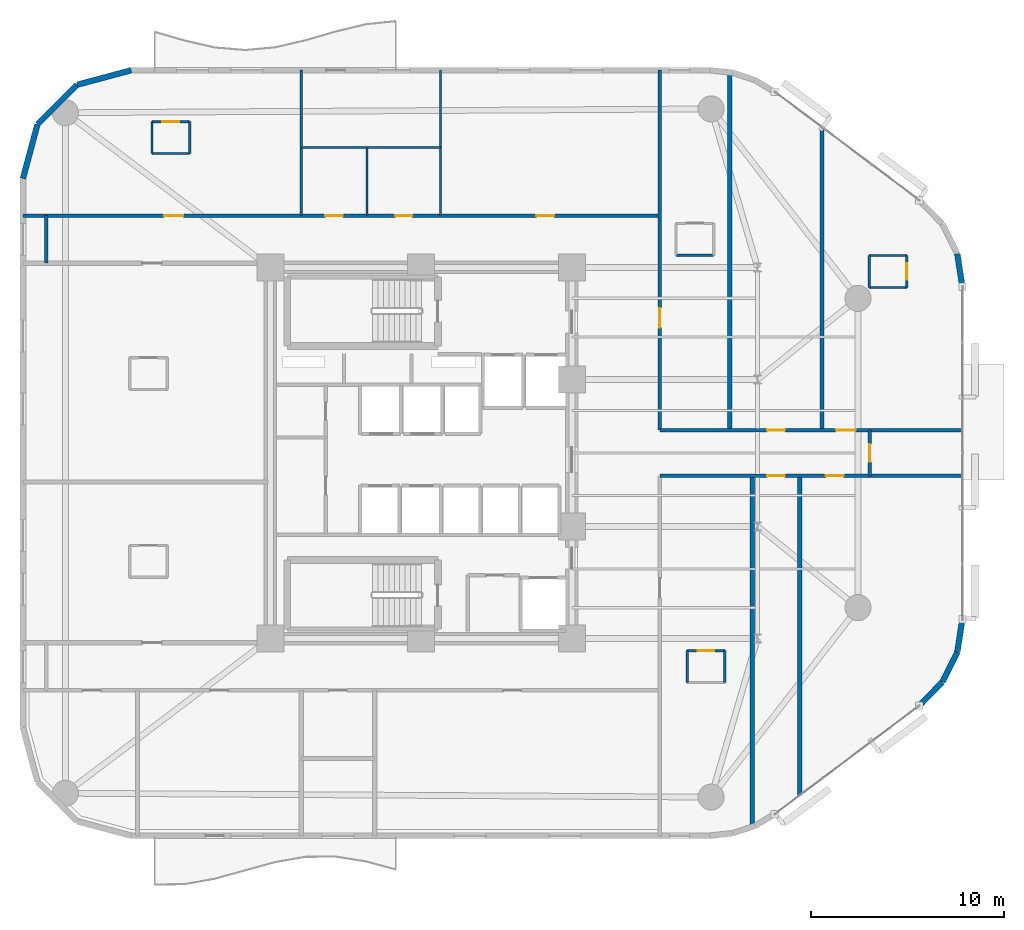
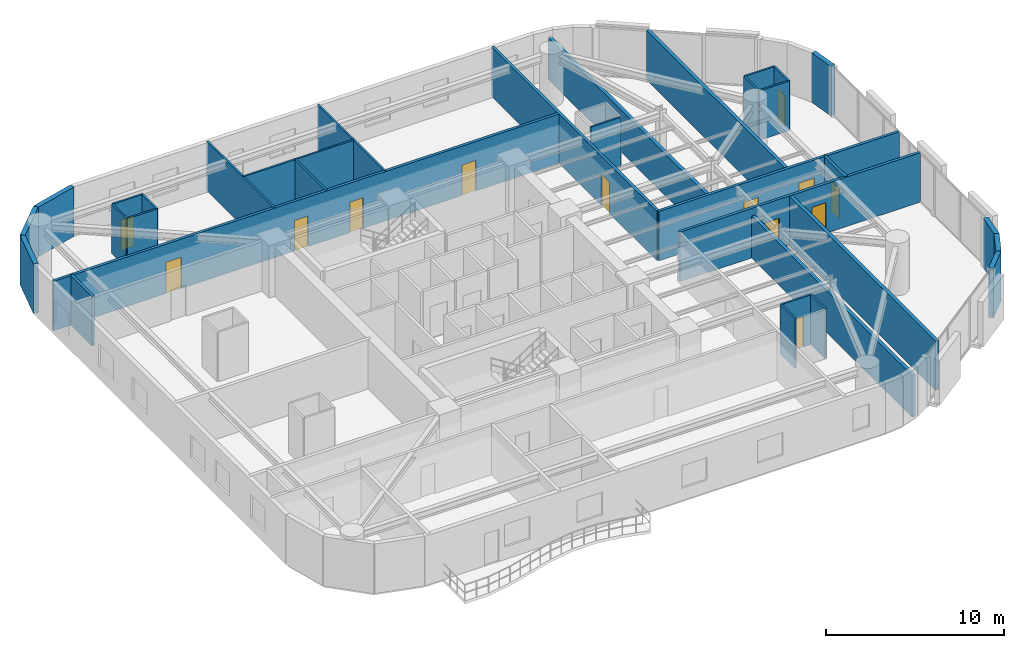
# One storey, part 12 of 16: 33 walls, 13 doors, 13 openings.
"""IFC4 building model written with IfcOpenShell, lengths in metres."""

from ifc_helpers import new_model, si_unit, direction, frame, frame_2d, origin, place, context, subcontext, project, spatial, rectangle, extrude, material, layer, layer_set, type_object, element, fill, save


model = new_model("IFC4")

# Units and contexts
model_context = context("Model", 3, precision=1e-05, world=origin(), true_north=direction((0.0, 1.0)))
body_context = subcontext(model_context, "Body", "Model", "MODEL_VIEW")
ifc_project = project(units=[si_unit("LENGTHUNIT", "METRE"), si_unit("AREAUNIT", "SQUARE_METRE"), si_unit("VOLUMEUNIT", "CUBIC_METRE"), si_unit("PLANEANGLEUNIT", "RADIAN"), si_unit("MASSUNIT", "GRAM", prefix="KILO")], contexts=[model_context])

# Site, building, storey
site_placement = place(None, origin())
site = spatial("IfcSite", under=ifc_project, at=site_placement, CompositionType="ELEMENT")
building_placement = place(site_placement, origin())
building = spatial("IfcBuilding", under=site, at=building_placement, Name="An Khanh Terracotta Commons", CompositionType="ELEMENT")
storey_placement = place(building_placement, frame((0.0, 0.0, 97.10009765625)))
storey = spatial("IfcBuildingStorey", under=building, at=storey_placement, Name="L25", CompositionType="ELEMENT", Elevation=97.10009765625)

# Wall, openings, doors
ifc_material_1 = material(Name="Fire-Rated Gypsum Board on Steel Stud", Category="steel")
ifc_layer_1 = layer(ifc_material_1, 0.179931640625, Name="Fire-Rated Gypsum Board on Steel Stud")
ifc_layer_set_1 = layer_set([ifc_layer_1], Name="Fire-Rated Gypsum Board on Steel Stud")
wall_type_1 = type_object("IfcWallType", Name="WALL-CORR-180", PredefinedType="PARTITIONING", material=ifc_layer_set_1)
wall_1_placement = place(storey_placement, frame((41.75, 22.820068359375, 0.0), z_axis=(0.0, 0.0, 1.0), x_axis=(1.0, 0.0, 0.0)))
wall_1 = element("IfcWall", 1, at=wall_1_placement, inside=storey, type_object=wall_type_1, Name="L25 Interior Partition IW-L25-E005", PredefinedType="PARTITIONING", context=body_context, shape_type="SweptSolid", body=[
    extrude(rectangle(XDim=15.64990234375, YDim=0.179931640625, at=frame_2d((7.824951171875, 0.0))), origin(), (0.0, 0.0, 1.0), 3.39990234375),
])
opening_1_placement = place(wall_1_placement, frame((5.54296875, 0.0, 0.0)))
opening_1 = element("IfcOpeningElement", 2, at=opening_1_placement, cuts=wall_1, Name="Opening D-RM", PredefinedType="OPENING", context=body_context, shape_type="SweptSolid", body=[
    extrude(rectangle(XDim=0.919921875, YDim=2.10009765625, at=frame_2d((0.4599609375, 1.050048828125))), frame((0.0, 0.099853515625, 0.0), z_axis=(0.0, -1.0, 0.0), x_axis=(1.0, 0.0, 0.0)), (0.0, 0.0, 1.0), 0.199951171875),
])
opening_2_placement = place(wall_1_placement, frame((8.5810546875, 0.0, 0.0)))
opening_2 = element("IfcOpeningElement", 3, at=opening_2_placement, cuts=wall_1, Name="Opening D-RM", PredefinedType="OPENING", context=body_context, shape_type="SweptSolid", body=[
    extrude(rectangle(XDim=0.919921875, YDim=2.10009765625, at=frame_2d((0.4599609375, 1.050048828125))), frame((0.0, 0.099853515625, 0.0), z_axis=(0.0, -1.0, 0.0), x_axis=(1.0, 0.0, 0.0)), (0.0, 0.0, 1.0), 0.199951171875),
])
ifc_material_2 = material(Name="Engineered Hardwood Timber Leaf", Category="wood")
door_type_1 = type_object("IfcDoorType", Name="DOOR-INT-920", OperationType="NOTDEFINED", PredefinedType="DOOR", material=ifc_material_2)
door_1_placement = place(opening_1_placement, origin())
door_1 = element("IfcDoor", 4, at=door_1_placement, inside=storey, type_object=door_type_1, Name="L25 SB2 Quiet Focus Office Door", OperationType="SINGLE_SWING_RIGHT", OverallHeight=2.10009765625, OverallWidth=0.919921875, PredefinedType="DOOR", context=body_context, shape_type="SweptSolid", body=[
    extrude(rectangle(XDim=0.919921875, YDim=2.10009765625, at=frame_2d((0.4599609375, 1.050048828125))), frame((0.0, 0.02490234375, 0.0), z_axis=(0.0, -1.0, 0.0), x_axis=(1.0, 0.0, 0.0)), (0.0, 0.0, 1.0), 0.050048828125),
])
fill(opening_1, door_1)
door_2_placement = place(opening_2_placement, origin())
door_2 = element("IfcDoor", 5, at=door_2_placement, inside=storey, type_object=door_type_1, Name="L25 SB3 Quiet Focus Office Door", OperationType="SINGLE_SWING_LEFT", OverallHeight=2.10009765625, OverallWidth=0.919921875, PredefinedType="DOOR", context=body_context, shape_type="SweptSolid", body=[
    extrude(rectangle(XDim=0.919921875, YDim=2.10009765625, at=frame_2d((0.4599609375, 1.050048828125))), frame((0.0, 0.02490234375, 0.0), z_axis=(0.0, -1.0, 0.0), x_axis=(1.0, 0.0, 0.0)), (0.0, 0.0, 1.0), 0.050048828125),
])
fill(opening_2, door_2)

wall_2_placement = place(storey_placement, frame((41.75, 25.179931640625, 0.0), z_axis=(0.0, 0.0, 1.0), x_axis=(1.0, 0.0, 0.0)))
wall_2 = element("IfcWall", 6, at=wall_2_placement, inside=storey, type_object=wall_type_1, Name="L25 Interior Partition IW-L25-E006", PredefinedType="PARTITIONING", context=body_context, shape_type="SweptSolid", body=[
    extrude(rectangle(XDim=15.64990234375, YDim=0.179931640625, at=frame_2d((7.824951171875, 0.0))), origin(), (0.0, 0.0, 1.0), 3.39990234375),
])
opening_3_placement = place(wall_2_placement, frame((5.5439453125, 0.0, 0.0)))
opening_3 = element("IfcOpeningElement", 7, at=opening_3_placement, cuts=wall_2, Name="Opening D-RM", PredefinedType="OPENING", context=body_context, shape_type="SweptSolid", body=[
    extrude(rectangle(XDim=0.919921875, YDim=2.10009765625, at=frame_2d((0.4599609375, 1.050048828125))), frame((0.0, 0.099853515625, 0.0), z_axis=(0.0, -1.0, 0.0), x_axis=(1.0, 0.0, 0.0)), (0.0, 0.0, 1.0), 0.199951171875),
])
opening_4_placement = place(wall_2_placement, frame((9.1201171875, 0.0, 0.0)))
opening_4 = element("IfcOpeningElement", 8, at=opening_4_placement, cuts=wall_2, Name="Opening D-UN", PredefinedType="OPENING", context=body_context, shape_type="SweptSolid", body=[
    extrude(rectangle(XDim=1.0, YDim=2.14990234375, at=frame_2d((0.5, 1.074951171875))), frame((0.0, 0.099853515625, 0.0), z_axis=(0.0, -1.0, 0.0), x_axis=(1.0, 0.0, 0.0)), (0.0, 0.0, 1.0), 0.199951171875),
])
door_3_placement = place(opening_3_placement, origin())
door_3 = element("IfcDoor", 9, at=door_3_placement, inside=storey, type_object=door_type_1, Name="L25 NB2 Quiet Focus Office Door", OperationType="SINGLE_SWING_LEFT", OverallHeight=2.10009765625, OverallWidth=0.919921875, PredefinedType="DOOR", context=body_context, shape_type="SweptSolid", body=[
    extrude(rectangle(XDim=0.919921875, YDim=2.10009765625, at=frame_2d((0.4599609375, 1.050048828125))), frame((0.0, 0.02490234375, 0.0), z_axis=(0.0, -1.0, 0.0), x_axis=(1.0, 0.0, 0.0)), (0.0, 0.0, 1.0), 0.050048828125),
])
fill(opening_3, door_3)
ifc_material_3 = material(Name="Solid-Core Hardwood Acoustic Fire Door", Category="wood")
door_type_2 = type_object("IfcDoorType", Name="DOOR-UNIT-1000", OperationType="NOTDEFINED", PredefinedType="DOOR", material=ifc_material_3)
door_4_placement = place(opening_4_placement, origin())
door_4 = element("IfcDoor", 10, at=door_4_placement, inside=storey, type_object=door_type_2, Name="L25 NB3 Kitchenette and Studio Apartment Door", OperationType="SINGLE_SWING_RIGHT", OverallHeight=2.14990234375, OverallWidth=1.0, PredefinedType="DOOR", context=body_context, shape_type="SweptSolid", body=[
    extrude(rectangle(XDim=1.0, YDim=2.14990234375, at=frame_2d((0.5, 1.074951171875))), frame((0.0, 0.02490234375, 0.0), z_axis=(0.0, -1.0, 0.0), x_axis=(1.0, 0.0, 0.0)), (0.0, 0.0, 1.0), 0.050048828125),
])
fill(opening_4, door_4)

wall_3_placement = place(storey_placement, frame((8.800048828125, 36.280029296875, 0.0), z_axis=(0.0, 0.0, 1.0), x_axis=(1.0, 0.0, 0.0)))
wall_3 = element("IfcWall", 11, at=wall_3_placement, inside=storey, type_object=wall_type_1, Name="L25 Interior Partition IW-L25-E008", PredefinedType="PARTITIONING", context=body_context, shape_type="SweptSolid", body=[
    extrude(rectangle(XDim=32.949951171875, YDim=0.179931640625, at=frame_2d((16.47509765625, 0.0))), origin(), (0.0, 0.0, 1.0), 3.39990234375),
])
opening_5_placement = place(wall_3_placement, frame((15.64990234375, 0.0, 0.0)))
opening_5 = element("IfcOpeningElement", 12, at=opening_5_placement, cuts=wall_3, Name="Opening D-WC", PredefinedType="OPENING", context=body_context, shape_type="SweptSolid", body=[
    extrude(rectangle(XDim=0.89990234375, YDim=2.10009765625, at=frame_2d((0.449951171875, 1.050048828125))), frame((0.0, 0.099853515625, 0.0), z_axis=(0.0, -1.0, 0.0), x_axis=(1.0, 0.0, 0.0)), (0.0, 0.0, 1.0), 0.199951171875),
])
opening_6_placement = place(wall_3_placement, frame((19.27001953125, 0.0, 0.0)))
opening_6 = element("IfcOpeningElement", 13, at=opening_6_placement, cuts=wall_3, Name="Opening D-ENS", PredefinedType="OPENING", context=body_context, shape_type="SweptSolid", body=[
    extrude(rectangle(XDim=0.860107421875, YDim=2.10009765625, at=frame_2d((0.43017578125, 1.050048828125))), frame((0.0, 0.099853515625, 0.0), z_axis=(0.0, -1.0, 0.0), x_axis=(1.0, 0.0, 0.0)), (0.0, 0.0, 1.0), 0.199951171875),
])
opening_7_placement = place(wall_3_placement, frame((7.300048828125, 0.0, 0.0)))
opening_7 = element("IfcOpeningElement", 14, at=opening_7_placement, cuts=wall_3, Name="Opening D-UN", PredefinedType="OPENING", context=body_context, shape_type="SweptSolid", body=[
    extrude(rectangle(XDim=1.0, YDim=2.14990234375, at=frame_2d((0.5, 1.074951171875))), frame((0.0, 0.099853515625, 0.0), z_axis=(0.0, -1.0, 0.0), x_axis=(1.0, 0.0, 0.0)), (0.0, 0.0, 1.0), 0.199951171875),
])
opening_8_placement = place(wall_3_placement, frame((26.554931640625, 0.0, 0.0)))
opening_8 = element("IfcOpeningElement", 15, at=opening_8_placement, cuts=wall_3, Name="Opening D-RM", PredefinedType="OPENING", context=body_context, shape_type="SweptSolid", body=[
    extrude(rectangle(XDim=0.919921875, YDim=2.10009765625, at=frame_2d((0.4599609375, 1.050048828125))), frame((0.0, 0.099853515625, 0.0), z_axis=(0.0, -1.0, 0.0), x_axis=(1.0, 0.0, 0.0)), (0.0, 0.0, 1.0), 0.199951171875),
])
ifc_material_4 = material(Name="Moisture-Resistant Hardwood Timber Leaf", Category="wood")
door_type_3 = type_object("IfcDoorType", Name="DOOR-BATH-860", OperationType="NOTDEFINED", PredefinedType="DOOR", material=ifc_material_4)
door_5_placement = place(opening_6_placement, origin())
door_5 = element("IfcDoor", 16, at=door_5_placement, inside=storey, type_object=door_type_3, Name="L25 SHW Resident Shared Shower and Washroom Door", OperationType="SINGLE_SWING_RIGHT", OverallHeight=2.10009765625, OverallWidth=0.860107421875, PredefinedType="DOOR", context=body_context, shape_type="SweptSolid", body=[
    extrude(rectangle(XDim=0.860107421875, YDim=2.10009765625, at=frame_2d((0.43017578125, 1.050048828125))), frame((0.0, 0.02490234375, 0.0), z_axis=(0.0, -1.0, 0.0), x_axis=(1.0, 0.0, 0.0)), (0.0, 0.0, 1.0), 0.050048828125),
])
fill(opening_6, door_5)
door_6_placement = place(opening_8_placement, origin())
door_6 = element("IfcDoor", 17, at=door_6_placement, inside=storey, type_object=door_type_1, Name="L25 NWE Quiet Focus Office Door", OperationType="SINGLE_SWING_RIGHT", OverallHeight=2.10009765625, OverallWidth=0.919921875, PredefinedType="DOOR", context=body_context, shape_type="SweptSolid", body=[
    extrude(rectangle(XDim=0.919921875, YDim=2.10009765625, at=frame_2d((0.4599609375, 1.050048828125))), frame((0.0, 0.02490234375, 0.0), z_axis=(0.0, -1.0, 0.0), x_axis=(1.0, 0.0, 0.0)), (0.0, 0.0, 1.0), 0.050048828125),
])
fill(opening_8, door_6)
door_7_placement = place(opening_7_placement, origin())
door_7 = element("IfcDoor", 18, at=door_7_placement, inside=storey, type_object=door_type_2, Name="L25 NW1 Kitchenette and Studio Apartment Door", OperationType="SINGLE_SWING_LEFT", OverallHeight=2.14990234375, OverallWidth=1.0, PredefinedType="DOOR", context=body_context, shape_type="SweptSolid", body=[
    extrude(rectangle(XDim=1.0, YDim=2.14990234375, at=frame_2d((0.5, 1.074951171875))), frame((0.0, 0.02490234375, 0.0), z_axis=(0.0, -1.0, 0.0), x_axis=(1.0, 0.0, 0.0)), (0.0, 0.0, 1.0), 0.050048828125),
])
fill(opening_7, door_7)
ifc_material_5 = material(Name="Laminate Moisture-Resistant Timber Leaf", Category="wood")
door_type_4 = type_object("IfcDoorType", Name="DOOR-WC-900", OperationType="NOTDEFINED", PredefinedType="DOOR", material=ifc_material_5)
door_8_placement = place(opening_5_placement, origin())
door_8 = element("IfcDoor", 19, at=door_8_placement, inside=storey, type_object=door_type_4, Name="L25 AWC Accessible WC Door", OperationType="SINGLE_SWING_LEFT", OverallHeight=2.10009765625, OverallWidth=0.89990234375, PredefinedType="DOOR", context=body_context, shape_type="SweptSolid", body=[
    extrude(rectangle(XDim=0.89990234375, YDim=2.10009765625, at=frame_2d((0.449951171875, 1.050048828125))), frame((0.0, 0.02490234375, 0.0), z_axis=(0.0, -1.0, 0.0), x_axis=(1.0, 0.0, 0.0)), (0.0, 0.0, 1.0), 0.050048828125),
])
fill(opening_5, door_8)

# Wall
wall_4_placement = place(storey_placement, frame((10.0, 33.820068359375, 0.0), z_axis=(0.0, 0.0, 1.0), x_axis=(0.0, 1.0, 0.0)))
element("IfcWall", 20, at=wall_4_placement, inside=storey, type_object=wall_type_1, Name="L25 Interior Partition IW-L25-E011", PredefinedType="PARTITIONING", context=body_context, shape_type="SweptSolid", body=[
    extrude(rectangle(XDim=2.4599609375, YDim=0.179931640625, at=frame_2d((1.22998046875, 0.0))), origin(), (0.0, 0.0, 1.0), 3.39990234375),
])

# Wall, opening, door
wall_5_placement = place(storey_placement, frame((41.75, 25.179931640625, 0.0), z_axis=(0.0, 0.0, 1.0), x_axis=(0.0, 1.0, 0.0)))
wall_5 = element("IfcWall", 21, at=wall_5_placement, inside=storey, type_object=wall_type_1, Name="L25 Interior Partition IW-L25-E019", PredefinedType="PARTITIONING", context=body_context, shape_type="SweptSolid", body=[
    extrude(rectangle(XDim=18.6201171875, YDim=0.179931640625, at=frame_2d((9.31005859375, 0.0))), origin(), (0.0, 0.0, 1.0), 3.39990234375),
])
opening_9_placement = place(wall_5_placement, frame((5.31005859375, 0.0, 0.0)))
opening_9 = element("IfcOpeningElement", 22, at=opening_9_placement, cuts=wall_5, Name="Opening D-UN", PredefinedType="OPENING", context=body_context, shape_type="SweptSolid", body=[
    extrude(rectangle(XDim=1.0, YDim=2.14990234375, at=frame_2d((0.5, 1.074951171875))), frame((0.0, 0.099853515625, 0.0), z_axis=(0.0, -1.0, 0.0), x_axis=(1.0, 0.0, 0.0)), (0.0, 0.0, 1.0), 0.199951171875),
])
door_9_placement = place(opening_9_placement, origin())
door_9 = element("IfcDoor", 23, at=door_9_placement, inside=storey, type_object=door_type_2, Name="L25 NB1 Kitchenette and Studio Apartment Door", OperationType="SINGLE_SWING_RIGHT", OverallHeight=2.14990234375, OverallWidth=1.0, PredefinedType="DOOR", context=body_context, shape_type="SweptSolid", body=[
    extrude(rectangle(XDim=1.0, YDim=2.14990234375, at=frame_2d((0.5, 1.074951171875))), frame((0.0, 0.02490234375, 0.0), z_axis=(0.0, -1.0, 0.0), x_axis=(1.0, 0.0, 0.0)), (0.0, 0.0, 1.0), 0.050048828125),
])
fill(opening_9, door_9)

wall_6_placement = place(storey_placement, frame((52.60009765625, 22.820068359375, 0.0), z_axis=(0.0, 0.0, 1.0), x_axis=(0.0, 1.0, 0.0)))
wall_6 = element("IfcWall", 24, at=wall_6_placement, inside=storey, type_object=wall_type_1, Name="L25 Interior Partition IW-L25-E024", PredefinedType="PARTITIONING", context=body_context, shape_type="SweptSolid", body=[
    extrude(rectangle(XDim=2.35986328125, YDim=0.179931640625, at=frame_2d((1.179931640625, 0.0))), origin(), (0.0, 0.0, 1.0), 3.39990234375),
])
opening_10_placement = place(wall_6_placement, frame((0.719970703125, 0.0, 0.0)))
opening_10 = element("IfcOpeningElement", 25, at=opening_10_placement, cuts=wall_6, Name="Opening D-RM", PredefinedType="OPENING", context=body_context, shape_type="SweptSolid", body=[
    extrude(rectangle(XDim=0.919921875, YDim=2.10009765625, at=frame_2d((0.4599609375, 1.050048828125))), frame((0.0, 0.099853515625, 0.0), z_axis=(0.0, -1.0, 0.0), x_axis=(1.0, 0.0, 0.0)), (0.0, 0.0, 1.0), 0.199951171875),
])
door_10_placement = place(opening_10_placement, origin())
door_10 = element("IfcDoor", 26, at=door_10_placement, inside=storey, type_object=door_type_1, Name="L25 GHE Riverfront Study Office Door", OperationType="SINGLE_SWING_RIGHT", OverallHeight=2.10009765625, OverallWidth=0.919921875, PredefinedType="DOOR", context=body_context, shape_type="SweptSolid", body=[
    extrude(rectangle(XDim=0.919921875, YDim=2.10009765625, at=frame_2d((0.4599609375, 1.050048828125))), frame((0.0, 0.02490234375, 0.0), z_axis=(0.0, -1.0, 0.0), x_axis=(1.0, 0.0, 0.0)), (0.0, 0.0, 1.0), 0.050048828125),
])
fill(opening_10, door_10)

# Walls
ifc_material_6 = material(Name="Precast concrete C40/50", Category="concrete")
ifc_layer_2 = layer(ifc_material_6, 0.300048828125, Name="Precast concrete C40/50")
ifc_layer_set_2 = layer_set([ifc_layer_2], Name="Precast concrete C40/50")
wall_type_2 = type_object("IfcWallType", Name="WALL-EXT-300", PredefinedType="SOLIDWALL", material=ifc_layer_set_2)
for number, where, z_axis, x_axis, name in (
    (27, (55.159912109375, 10.919921875, 0.0), (0.0, 0.0, 1.0), (0.6983450845, 0.715761233201, 0.0), "L25 Insulated Terracotta Exterior Wall 9"),
    (28, (56.364013671875, 12.154052734375, 0.0), (0.0, 0.0, 1.0), (0.4472135955, 0.894427191, 0.0), "L25 Insulated Terracotta Exterior Wall 10"),
):
    element("IfcWall", number, at=place(storey_placement, frame(where, z_axis=z_axis, x_axis=x_axis)), inside=storey, type_object=wall_type_2, Name=name, PredefinedType="SOLIDWALL", context=body_context, shape_type="SweptSolid", body=[
        extrude(rectangle(XDim=1.72412109375, YDim=0.300048828125, at=frame_2d((0.862060546875, 0.0))), origin(), (0.0, 0.0, 1.0), 3.39990234375),
    ])
for number, where, z_axis, x_axis, name in (
    (29, (57.135009765625, 13.696044921875, 0.0), (0.0, 0.0, 1.0), (0.153620989032, 0.988129845581, 0.0), "L25 Insulated Terracotta Exterior Wall 11"),
    (30, (57.39990234375, 32.60009765625, 0.0), (0.0, 0.0, 1.0), (-0.153620989032, 0.988129845581, 0.0), "L25 Insulated Terracotta Exterior Wall 13"),
):
    element("IfcWall", number, at=place(storey_placement, frame(where, z_axis=z_axis, x_axis=x_axis)), inside=storey, type_object=wall_type_2, Name=name, PredefinedType="SOLIDWALL", context=body_context, shape_type="SweptSolid", body=[
        extrude(rectangle(XDim=1.724365234375, YDim=0.300048828125, at=frame_2d((0.8623046875, 0.0))), origin(), (0.0, 0.0, 1.0), 3.39990234375),
    ])
wall_7_placement = place(storey_placement, frame((14.39990234375, 43.800048828125, 0.0), z_axis=(0.0, 0.0, 1.0), x_axis=(-0.965943540406, -0.258752926066, 0.0)))
element("IfcWall", 31, at=wall_7_placement, inside=storey, type_object=wall_type_2, Name="L25 Insulated Terracotta Exterior Wall 21", PredefinedType="SOLIDWALL", context=body_context, shape_type="SweptSolid", body=[
    extrude(rectangle(XDim=2.8984375, YDim=0.300048828125, at=frame_2d((1.44921875, 0.0))), origin(), (0.0, 0.0, 1.0), 3.39990234375),
])
wall_8_placement = place(storey_placement, frame((11.60009765625, 43.050048828125, 0.0), z_axis=(0.0, 0.0, 1.0), x_axis=(-0.707106781187, -0.707106781187, 0.0)))
element("IfcWall", 32, at=wall_8_placement, inside=storey, type_object=wall_type_2, Name="L25 Insulated Terracotta Exterior Wall 22", PredefinedType="SOLIDWALL", context=body_context, shape_type="SweptSolid", body=[
    extrude(rectangle(XDim=2.899169921875, YDim=0.300048828125, at=frame_2d((1.44970703125, 0.0))), origin(), (0.0, 0.0, 1.0), 3.39990234375),
])
wall_9_placement = place(storey_placement, frame((9.550048828125, 41.0, 0.0), z_axis=(0.0, 0.0, 1.0), x_axis=(-0.258731875344, -0.96594917914, 0.0)))
element("IfcWall", 33, at=wall_9_placement, inside=storey, type_object=wall_type_2, Name="L25 Insulated Terracotta Exterior Wall 23", PredefinedType="SOLIDWALL", context=body_context, shape_type="SweptSolid", body=[
    extrude(rectangle(XDim=2.898681640625, YDim=0.300048828125, at=frame_2d((1.44921875, 0.0))), origin(), (0.0, 0.0, 1.0), 3.39990234375),
])
ifc_material_7 = material(Name="Acoustic Double-Stud Gypsum and Mineral Wool")
ifc_layer_3 = layer(ifc_material_7, 0.219970703125, Name="Acoustic Double-Stud Gypsum and Mineral Wool")
ifc_layer_set_3 = layer_set([ifc_layer_3], Name="Acoustic Double-Stud Gypsum and Mineral Wool")
wall_type_3 = type_object("IfcWallType", Name="WALL-PARTY-220", PredefinedType="PARTITIONING", material=ifc_layer_set_3)
wall_10_placement = place(storey_placement, frame((45.366943359375, 25.179931640625, 0.0), z_axis=(0.0, 0.0, 1.0), x_axis=(0.0, 1.0, 0.0)))
element("IfcWall", 34, at=wall_10_placement, inside=storey, type_object=wall_type_3, Name="L25 Interior Partition IW-L25-E020", PredefinedType="PARTITIONING", context=body_context, shape_type="SweptSolid", body=[
    extrude(rectangle(XDim=18.509033203125, YDim=0.219970703125, at=frame_2d((9.25439453125, 0.0))), origin(), (0.0, 0.0, 1.0), 2.8818359375),
])
wall_11_placement = place(storey_placement, frame((46.52392578125, 4.660888671875, 0.0), z_axis=(0.0, 0.0, 1.0), x_axis=(0.0, 1.0, 0.0)))
element("IfcWall", 35, at=wall_11_placement, inside=storey, type_object=wall_type_3, Name="L25 Interior Partition IW-L25-E021", PredefinedType="PARTITIONING", context=body_context, shape_type="SweptSolid", body=[
    extrude(rectangle(XDim=18.1591796875, YDim=0.219970703125, at=frame_2d((9.07958984375, 0.0))), origin(), (0.0, 0.0, 1.0), 2.8818359375),
])
wall_12_placement = place(storey_placement, frame((48.98291015625, 6.287109375, 0.0), z_axis=(0.0, 0.0, 1.0), x_axis=(0.0, 1.0, 0.0)))
element("IfcWall", 36, at=wall_12_placement, inside=storey, type_object=wall_type_3, Name="L25 Interior Partition IW-L25-E022", PredefinedType="PARTITIONING", context=body_context, shape_type="SweptSolid", body=[
    extrude(rectangle(XDim=16.532958984375, YDim=0.219970703125, at=frame_2d((8.2666015625, 0.0))), origin(), (0.0, 0.0, 1.0), 3.39990234375),
])
wall_13_placement = place(storey_placement, frame((50.14111328125, 25.179931640625, 0.0), z_axis=(0.0, 0.0, 1.0), x_axis=(0.0, 1.0, 0.0)))
element("IfcWall", 37, at=wall_13_placement, inside=storey, type_object=wall_type_3, Name="L25 Interior Partition IW-L25-E023", PredefinedType="PARTITIONING", context=body_context, shape_type="SweptSolid", body=[
    extrude(rectangle(XDim=15.6640625, YDim=0.219970703125, at=frame_2d((7.83203125, 0.0))), origin(), (0.0, 0.0, 1.0), 3.39990234375),
])
ifc_material_8 = material(Name="Moisture-Resistant Cement Board Partition")
ifc_layer_4 = layer(ifc_material_8, 0.1201171875, Name="Moisture-Resistant Cement Board Partition")
ifc_layer_set_4 = layer_set([ifc_layer_4], Name="Moisture-Resistant Cement Board Partition")
wall_type_4 = type_object("IfcWallType", Name="WALL-WET-120", PredefinedType="PARTITIONING", material=ifc_layer_set_4)
for number, where, z_axis, x_axis, name in (
    (38, (44.532958984375, 34.22509765625, 0.0), (0.0, 0.0, 1.0), (-1.0, 0.0, 0.0), "L25 Interior Partition IW-L25-NB1-BS"),
    (39, (52.572021484375, 34.215087890625, 0.0), (0.0, 0.0, 1.0), (1.0, 0.0, 0.0), "L25 Interior Partition IW-L25-NB3-BN"),
    (40, (54.52197265625, 32.56494140625, 0.0), (0.0, 0.0, 1.0), (-1.0, 0.0, 0.0), "L25 Interior Partition IW-L25-NB3-BS"),
):
    element("IfcWall", number, at=place(storey_placement, frame(where, z_axis=z_axis, x_axis=x_axis)), inside=storey, type_object=wall_type_4, Name=name, PredefinedType="PARTITIONING", context=body_context, shape_type="SweptSolid", body=[
        extrude(rectangle(XDim=1.949951171875, YDim=0.1201171875, at=frame_2d((0.97509765625, 0.0))), origin(), (0.0, 0.0, 1.0), 3.39990234375),
    ])
wall_14_placement = place(storey_placement, frame((52.572021484375, 34.215087890625, 0.0), z_axis=(0.0, 0.0, 1.0), x_axis=(0.0, -1.0, 0.0)))
element("IfcWall", 41, at=wall_14_placement, inside=storey, type_object=wall_type_4, Name="L25 Interior Partition IW-L25-NB3-BW", PredefinedType="PARTITIONING", context=body_context, shape_type="SweptSolid", body=[
    extrude(rectangle(XDim=1.650146484375, YDim=0.1201171875, at=frame_2d((0.8251953125, 0.0))), origin(), (0.0, 0.0, 1.0), 3.39990234375),
])

# Wall, opening, door
wall_15_placement = place(storey_placement, frame((54.52197265625, 32.56494140625, 0.0), z_axis=(0.0, 0.0, 1.0), x_axis=(0.0, 1.0, 0.0)))
wall_15 = element("IfcWall", 42, at=wall_15_placement, inside=storey, type_object=wall_type_4, Name="L25 Interior Partition IW-L25-NB3-BE", PredefinedType="PARTITIONING", context=body_context, shape_type="SweptSolid", body=[
    extrude(rectangle(XDim=1.650146484375, YDim=0.1201171875, at=frame_2d((0.8251953125, 0.0))), origin(), (0.0, 0.0, 1.0), 3.39990234375),
])
opening_11_placement = place(wall_15_placement, frame((0.39501953125, 0.0, 0.0)))
opening_11 = element("IfcOpeningElement", 43, at=opening_11_placement, cuts=wall_15, Name="Opening D-ENS", PredefinedType="OPENING", context=body_context, shape_type="SweptSolid", body=[
    extrude(rectangle(XDim=0.860107421875, YDim=2.10009765625, at=frame_2d((0.43017578125, 1.050048828125))), frame((0.0, 0.070068359375, 0.0), z_axis=(0.0, -1.0, 0.0), x_axis=(1.0, 0.0, 0.0)), (0.0, 0.0, 1.0), 0.14013671875),
])
door_11_placement = place(opening_11_placement, origin())
door_11 = element("IfcDoor", 44, at=door_11_placement, inside=storey, type_object=door_type_3, Name="L25 Studio NB3 En-suite Door", OperationType="SINGLE_SWING_RIGHT", OverallHeight=2.10009765625, OverallWidth=0.860107421875, PredefinedType="DOOR", context=body_context, shape_type="SweptSolid", body=[
    extrude(rectangle(XDim=0.860107421875, YDim=2.10009765625, at=frame_2d((0.43017578125, 1.050048828125))), frame((0.0, 0.02490234375, 0.0), z_axis=(0.0, -1.0, 0.0), x_axis=(1.0, 0.0, 0.0)), (0.0, 0.0, 1.0), 0.050048828125),
])
fill(opening_11, door_11)

wall_16_placement = place(storey_placement, frame((43.162109375, 13.77490234375, 0.0), z_axis=(0.0, 0.0, 1.0), x_axis=(1.0, 0.0, 0.0)))
wall_16 = element("IfcWall", 45, at=wall_16_placement, inside=storey, type_object=wall_type_4, Name="L25 Interior Partition IW-L25-SB1-BN", PredefinedType="PARTITIONING", context=body_context, shape_type="SweptSolid", body=[
    extrude(rectangle(XDim=1.949951171875, YDim=0.1201171875, at=frame_2d((0.97509765625, 0.0))), origin(), (0.0, 0.0, 1.0), 3.39990234375),
])
opening_12_placement = place(wall_16_placement, frame((0.544921875, 0.0, 0.0)))
opening_12 = element("IfcOpeningElement", 46, at=opening_12_placement, cuts=wall_16, Name="Opening D-ENS", PredefinedType="OPENING", context=body_context, shape_type="SweptSolid", body=[
    extrude(rectangle(XDim=0.860107421875, YDim=2.10009765625, at=frame_2d((0.43017578125, 1.050048828125))), frame((0.0, 0.070068359375, 0.0), z_axis=(0.0, -1.0, 0.0), x_axis=(1.0, 0.0, 0.0)), (0.0, 0.0, 1.0), 0.14013671875),
])
door_12_placement = place(opening_12_placement, origin())
door_12 = element("IfcDoor", 47, at=door_12_placement, inside=storey, type_object=door_type_3, Name="L25 Studio SB1 En-suite Door", OperationType="SINGLE_SWING_LEFT", OverallHeight=2.10009765625, OverallWidth=0.860107421875, PredefinedType="DOOR", context=body_context, shape_type="SweptSolid", body=[
    extrude(rectangle(XDim=0.860107421875, YDim=2.10009765625, at=frame_2d((0.43017578125, 1.050048828125))), frame((0.0, 0.02490234375, 0.0), z_axis=(0.0, -1.0, 0.0), x_axis=(1.0, 0.0, 0.0)), (0.0, 0.0, 1.0), 0.050048828125),
])
fill(opening_12, door_12)

# Walls
for number, where, z_axis, x_axis, name in (
    (48, (43.162109375, 13.77490234375, 0.0), (0.0, 0.0, 1.0), (0.0, -1.0, 0.0), "L25 Interior Partition IW-L25-SB1-BW"),
    (49, (45.112060546875, 12.125, 0.0), (0.0, 0.0, 1.0), (0.0, 1.0, 0.0), "L25 Interior Partition IW-L25-SB1-BE"),
):
    element("IfcWall", number, at=place(storey_placement, frame(where, z_axis=z_axis, x_axis=x_axis)), inside=storey, type_object=wall_type_4, Name=name, PredefinedType="PARTITIONING", context=body_context, shape_type="SweptSolid", body=[
        extrude(rectangle(XDim=1.64990234375, YDim=0.1201171875, at=frame_2d((0.824951171875, 0.0))), origin(), (0.0, 0.0, 1.0), 3.39990234375),
    ])

# Wall, opening, door
wall_17_placement = place(storey_placement, frame((15.47412109375, 41.14208984375, 0.0), z_axis=(0.0, 0.0, 1.0), x_axis=(1.0, 0.0, 0.0)))
wall_17 = element("IfcWall", 50, at=wall_17_placement, inside=storey, type_object=wall_type_4, Name="L25 Interior Partition IW-L25-NW1-BN", PredefinedType="PARTITIONING", context=body_context, shape_type="SweptSolid", body=[
    extrude(rectangle(XDim=1.949951171875, YDim=0.1201171875, at=frame_2d((0.97509765625, 0.0))), origin(), (0.0, 0.0, 1.0), 3.39990234375),
])
opening_13_placement = place(wall_17_placement, frame((0.544921875, 0.0, 0.0)))
opening_13 = element("IfcOpeningElement", 51, at=opening_13_placement, cuts=wall_17, Name="Opening D-ENS", PredefinedType="OPENING", context=body_context, shape_type="SweptSolid", body=[
    extrude(rectangle(XDim=0.860107421875, YDim=2.10009765625, at=frame_2d((0.43017578125, 1.050048828125))), frame((0.0, 0.070068359375, 0.0), z_axis=(0.0, -1.0, 0.0), x_axis=(1.0, 0.0, 0.0)), (0.0, 0.0, 1.0), 0.14013671875),
])
door_13_placement = place(opening_13_placement, origin())
door_13 = element("IfcDoor", 52, at=door_13_placement, inside=storey, type_object=door_type_3, Name="L25 Studio NW1 En-suite Door", OperationType="SINGLE_SWING_RIGHT", OverallHeight=2.10009765625, OverallWidth=0.860107421875, PredefinedType="DOOR", context=body_context, shape_type="SweptSolid", body=[
    extrude(rectangle(XDim=0.860107421875, YDim=2.10009765625, at=frame_2d((0.43017578125, 1.050048828125))), frame((0.0, 0.02490234375, 0.0), z_axis=(0.0, -1.0, 0.0), x_axis=(1.0, 0.0, 0.0)), (0.0, 0.0, 1.0), 0.050048828125),
])
fill(opening_13, door_13)

# Walls
wall_18_placement = place(storey_placement, frame((17.424072265625, 39.491943359375, 0.0), z_axis=(0.0, 0.0, 1.0), x_axis=(-1.0, 0.0, 0.0)))
element("IfcWall", 53, at=wall_18_placement, inside=storey, type_object=wall_type_4, Name="L25 Interior Partition IW-L25-NW1-BS", PredefinedType="PARTITIONING", context=body_context, shape_type="SweptSolid", body=[
    extrude(rectangle(XDim=1.949951171875, YDim=0.1201171875, at=frame_2d((0.97509765625, 0.0))), origin(), (0.0, 0.0, 1.0), 3.39990234375),
])
for number, where, z_axis, x_axis, name in (
    (54, (15.47412109375, 41.14208984375, 0.0), (0.0, 0.0, 1.0), (0.0, -1.0, 0.0), "L25 Interior Partition IW-L25-NW1-BW"),
    (55, (17.424072265625, 39.491943359375, 0.0), (0.0, 0.0, 1.0), (0.0, 1.0, 0.0), "L25 Interior Partition IW-L25-NW1-BE"),
):
    element("IfcWall", number, at=place(storey_placement, frame(where, z_axis=z_axis, x_axis=x_axis)), inside=storey, type_object=wall_type_4, Name=name, PredefinedType="PARTITIONING", context=body_context, shape_type="SweptSolid", body=[
        extrude(rectangle(XDim=1.650146484375, YDim=0.1201171875, at=frame_2d((0.8251953125, 0.0))), origin(), (0.0, 0.0, 1.0), 3.39990234375),
    ])
wall_19_placement = place(storey_placement, frame((23.199951171875, 39.800048828125, 0.0), z_axis=(0.0, 0.0, 1.0), x_axis=(1.0, 0.0, 0.0)))
element("IfcWall", 56, at=wall_19_placement, inside=storey, type_object=wall_type_4, Name="L25 Interior Partition IW-L25-E009", PredefinedType="PARTITIONING", context=body_context, shape_type="SweptSolid", body=[
    extrude(rectangle(XDim=7.199951171875, YDim=0.1201171875, at=frame_2d((3.60009765625, 0.0))), origin(), (0.0, 0.0, 1.0), 3.39990234375),
])
wall_20_placement = place(storey_placement, frame((23.199951171875, 36.280029296875, 0.0), z_axis=(0.0, 0.0, 1.0), x_axis=(0.0, 1.0, 0.0)))
element("IfcWall", 57, at=wall_20_placement, inside=storey, type_object=wall_type_4, Name="L25 Interior Partition IW-L25-E014", PredefinedType="PARTITIONING", context=body_context, shape_type="SweptSolid", body=[
    extrude(rectangle(XDim=7.52001953125, YDim=0.1201171875, at=frame_2d((3.760009765625, 0.0))), origin(), (0.0, 0.0, 1.0), 3.39990234375),
])
wall_21_placement = place(storey_placement, frame((26.60009765625, 36.280029296875, 0.0), z_axis=(0.0, 0.0, 1.0), x_axis=(0.0, 1.0, 0.0)))
element("IfcWall", 58, at=wall_21_placement, inside=storey, type_object=wall_type_4, Name="L25 Interior Partition IW-L25-E015", PredefinedType="PARTITIONING", context=body_context, shape_type="SweptSolid", body=[
    extrude(rectangle(XDim=3.52001953125, YDim=0.1201171875, at=frame_2d((1.760009765625, 0.0))), origin(), (0.0, 0.0, 1.0), 3.39990234375),
])
wall_22_placement = place(storey_placement, frame((30.39990234375, 36.280029296875, 0.0), z_axis=(0.0, 0.0, 1.0), x_axis=(0.0, 1.0, 0.0)))
element("IfcWall", 59, at=wall_22_placement, inside=storey, type_object=wall_type_4, Name="L25 Interior Partition IW-L25-E017", PredefinedType="PARTITIONING", context=body_context, shape_type="SweptSolid", body=[
    extrude(rectangle(XDim=7.52001953125, YDim=0.1201171875, at=frame_2d((3.760009765625, 0.0))), origin(), (0.0, 0.0, 1.0), 3.39990234375),
])

save(model, "model.ifc")
